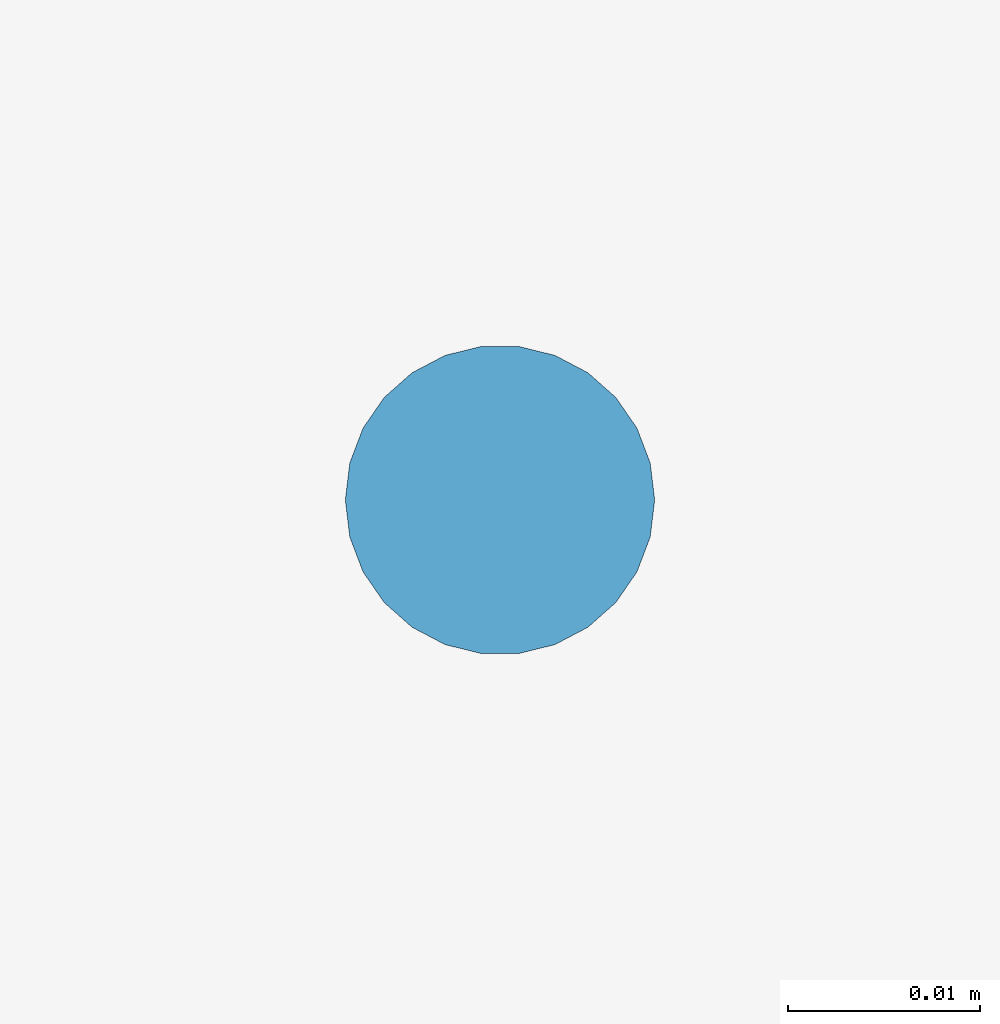
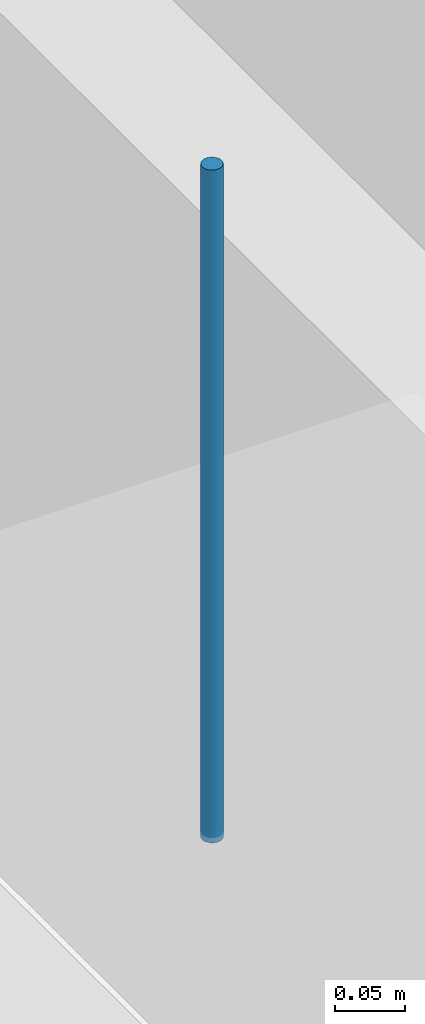
# One storey, part 71 of 75: 1 discrete accessory.
"""IFC4 building model written with IfcOpenShell, lengths in metres."""

import ifcopenshell
import ifcopenshell.guid

model = None  # the IFC model being written
_history = None  # IfcOwnerHistory: only IFC2X3 demands one
_inside = {}  # id of a spatial element -> (the spatial element, [elements in it])
_under = {}  # id of a project, library or spatial element -> (it, [spatial elements below it])
_declared = {}  # id of a project -> (the project, [libraries it declares])
_typed = {}  # id of a type object -> (the type object, [elements of that type])
_made_of = {}  # id of a material, layer set ... -> (it, [elements and type objects made of it])


def new_model(schema):
    """Start an empty IFC model of exactly this schema.

    Asked for "IFC4X3", IfcOpenShell would pick the latest addendum, in which some entities
    have other attributes; the version numbers below select the first issue.
    IFC2X3 requires an IfcOwnerHistory on every rooted entity: one is made here for all.
    """
    global model, _history
    if schema == "IFC4X3":
        model = ifcopenshell.file(schema_version=(4, 3, 0, 0))
    else:
        model = ifcopenshell.file(schema=schema)
    _inside.clear()
    _under.clear()
    _declared.clear()
    _typed.clear()
    _made_of.clear()
    _history = None
    if model.schema == "IFC2X3":
        org = make("IfcOrganization", Name="unknown")
        user = make(
            "IfcPersonAndOrganization",
            ThePerson=make("IfcPerson", FamilyName="unknown"),
            TheOrganization=org,
        )
        app = make(
            "IfcApplication",
            ApplicationDeveloper=org,
            Version="unknown",
            ApplicationFullName="unknown",
            ApplicationIdentifier="unknown",
        )
        _history = make(
            "IfcOwnerHistory",
            OwningUser=user,
            OwningApplication=app,
            ChangeAction="ADDED",
            CreationDate=0,
        )
    return model


def make(cls, **values):
    """One entity of the class cls with the attributes given. An attribute that is None is left unset."""
    return model.create_entity(
        cls, **{name: value for name, value in values.items() if value is not None}
    )


def rooted(cls, **values):
    """An entity with a GlobalId (a new one), such as an element, a storey or a relation."""
    return make(cls, GlobalId=ifcopenshell.guid.new(), OwnerHistory=_history, **values)


def si_unit(unit_type, name, prefix=None):
    """IfcSIUnit, for example si_unit("LENGTHUNIT", "METRE", prefix="MILLI")."""
    return make("IfcSIUnit", UnitType=unit_type, Prefix=prefix, Name=name)


def assignment(units):
    """IfcUnitAssignment: the units of a project."""
    return None if units is None else make("IfcUnitAssignment", Units=units)


def point(xyz):
    """IfcCartesianPoint."""
    return None if xyz is None else make("IfcCartesianPoint", Coordinates=xyz)


def direction(xyz):
    """IfcDirection."""
    return None if xyz is None else make("IfcDirection", DirectionRatios=xyz)


def frame(location, z_axis=None, x_axis=None):
    """IfcAxis2Placement3D, a coordinate frame: its origin and axes. An axis left out is left unset."""
    return make(
        "IfcAxis2Placement3D",
        Location=point(location),
        Axis=direction(z_axis),
        RefDirection=direction(x_axis),
    )


def frame_2d(location, x_axis=None):
    """IfcAxis2Placement2D, a coordinate frame in the plane: its origin and x axis."""
    return make(
        "IfcAxis2Placement2D", Location=point(location), RefDirection=direction(x_axis)
    )


def origin():
    """The frame at (0, 0, 0) with its axes left unset."""
    return frame((0.0, 0.0, 0.0))


def origin_2d():
    """The frame at (0, 0) in the plane with its x axis left unset."""
    return frame_2d((0.0, 0.0))


def place(relative_to, where):
    """IfcLocalPlacement: puts the frame where relative to a parent placement (None: the world)."""
    return make(
        "IfcLocalPlacement", PlacementRelTo=relative_to, RelativePlacement=where
    )


def context(
    kind, dimensions, precision=None, world=None, true_north=None, identifier=None
):
    """IfcGeometricRepresentationContext, for example the 3D "Model" context."""
    return make(
        "IfcGeometricRepresentationContext",
        ContextIdentifier=identifier,
        ContextType=kind,
        CoordinateSpaceDimension=dimensions,
        Precision=precision,
        WorldCoordinateSystem=world,
        TrueNorth=true_north,
    )


def subcontext(parent, identifier, kind, view, scale=None):
    """IfcGeometricRepresentationSubContext, for example "Body" below "Model"."""
    return make(
        "IfcGeometricRepresentationSubContext",
        ContextIdentifier=identifier,
        ContextType=kind,
        ParentContext=parent,
        TargetScale=scale,
        TargetView=view,
    )


def project(units=None, contexts=None):
    """IfcProject with its units and contexts."""
    return rooted(
        "IfcProject",
        Name="project",
        RepresentationContexts=contexts,
        UnitsInContext=assignment(units),
    )


def spatial(cls, under=None, at=None, **own):
    """A site, building, storey or space (cls), placed at a placement, below another one or the project."""
    s = rooted(cls, ObjectPlacement=at, **own)
    if under is not None:
        _under.setdefault(under.id(), (under, []))[1].append(s)
    return s


def profile(cls, at=None, kind="AREA", **sizes):
    """A parametric profile (cls). Its sizes go by their IFC names, for example OverallWidth=200.0."""
    return make(cls, ProfileType=kind, Position=at, **sizes)


def circle(**sizes):
    """IfcCircleProfileDef."""
    return profile("IfcCircleProfileDef", **sizes)


def extrude(swept, where, along, depth):
    """IfcExtrudedAreaSolid: the profile swept, set in the frame where, extruded along a direction by depth."""
    return make(
        "IfcExtrudedAreaSolid",
        SweptArea=swept,
        Position=where,
        ExtrudedDirection=direction(along),
        Depth=depth,
    )


def shape(context_of_items, identifier, shape_type, items):
    """IfcShapeRepresentation: the items that make up one representation, for example the "Body"."""
    return make(
        "IfcShapeRepresentation",
        ContextOfItems=context_of_items,
        RepresentationIdentifier=identifier,
        RepresentationType=shape_type,
        Items=items,
    )


def material(Name=None, Category=None):
    """IfcMaterial."""
    return make("IfcMaterial", Name=Name, Category=Category)


def made_of(thing, what):
    """Note that an element or type object is made of a material, layer set ...; save() writes the relation."""
    if what is not None:
        _made_of.setdefault(what.id(), (what, []))[1].append(thing)
    return thing


def type_object(cls, material=None, **own):
    """A type object (cls), such as IfcWallType, which elements share."""
    return made_of(rooted(cls, **own), material)


def element(
    cls,
    number,
    at=None,
    inside=None,
    cuts=None,
    type_object=None,
    material=None,
    context=None,
    identifier="Body",
    shape_type=None,
    held_by="IfcProductDefinitionShape",
    body=None,
    shapes=None,
    **own,
):
    """One element of the class cls, such as IfcWall. Its Tag is "e" and its number.

    at: its placement. inside: the storey or other place that contains it. cuts: it is an
    opening in that element (IfcRelVoidsElement). A single representation is given by context,
    identifier, shape_type and body (its items); several are given by shapes. held_by: the class
    of the entity that holds the representations. save() writes the other relations.
    """
    e = rooted(cls, Tag="e%d" % number, ObjectPlacement=at, **own)
    if body is not None:
        shapes = [shape(context, identifier, shape_type, body)]
    if shapes is not None:
        e.Representation = make(held_by, Representations=shapes)
    if inside is not None:
        _inside.setdefault(inside.id(), (inside, []))[1].append(e)
    if cuts is not None:
        rooted(
            "IfcRelVoidsElement", RelatingBuildingElement=cuts, RelatedOpeningElement=e
        )
    if type_object is not None:
        _typed.setdefault(type_object.id(), (type_object, []))[1].append(e)
    return made_of(e, material)


def aggregate(whole, parts):
    """IfcRelAggregates: a whole, such as a stair, and the parts it consists of."""
    return rooted("IfcRelAggregates", RelatingObject=whole, RelatedObjects=parts)


def save(model, path):
    """Write the relations noted so far, then the file.

    IfcRelAggregates (storeys below a building ...), IfcRelContainedInSpatialStructure (elements
    in a storey), IfcRelDefinesByType, IfcRelAssociatesMaterial and IfcRelDeclares: one each for
    every whole, place, type object, material and project.
    """
    for whole, parts in _under.values():
        aggregate(whole, parts)
    for where, things in _inside.values():
        rooted(
            "IfcRelContainedInSpatialStructure",
            RelatedElements=things,
            RelatingStructure=where,
        )
    for kind, things in _typed.values():
        rooted("IfcRelDefinesByType", RelatedObjects=things, RelatingType=kind)
    for what, things in _made_of.values():
        rooted("IfcRelAssociatesMaterial", RelatedObjects=things, RelatingMaterial=what)
    for by, libraries in _declared.values():
        rooted("IfcRelDeclares", RelatingContext=by, RelatedDefinitions=libraries)
    model.write(path)


model = new_model("IFC4")

# Units and contexts
model_context = context("Model", 3, precision=1e-05, world=origin(), true_north=direction((0.0, 1.0)))
body_context = subcontext(model_context, "Body", "Model", "MODEL_VIEW")
ifc_project = project(units=[si_unit("LENGTHUNIT", "METRE"), si_unit("AREAUNIT", "SQUARE_METRE"), si_unit("VOLUMEUNIT", "CUBIC_METRE"), si_unit("PLANEANGLEUNIT", "RADIAN"), si_unit("MASSUNIT", "GRAM", prefix="KILO")], contexts=[model_context])

# Site, building, storey
site_placement = place(None, origin())
site = spatial("IfcSite", under=ifc_project, at=site_placement, CompositionType="ELEMENT")
building_placement = place(site_placement, origin())
building = spatial("IfcBuilding", under=site, at=building_placement, Name="Yukiwa Park Conservatory and Herbarium", CompositionType="ELEMENT")
storey_placement = place(building_placement, frame((0.0, 0.0, 4.800048828125)))
storey = spatial("IfcBuildingStorey", under=building, at=storey_placement, Name="L01", CompositionType="ELEMENT", Elevation=4.800048828125)

# Discrete accessory
ifc_material = material(Name="Steel Q235B", Category="steel")
discrete_accessory_type = type_object("IfcDiscreteAccessoryType", Name="ACC-CEILING-HANGER", PredefinedType="BRACKET", material=ifc_material)
discrete_accessory_placement = place(storey_placement, frame((73.60009765625, 76.60009765625, 3.375), z_axis=(0.0, 0.0, 1.0), x_axis=(1.0, 0.0, 0.0)))
element("IfcDiscreteAccessory", 1, at=discrete_accessory_placement, inside=storey, type_object=discrete_accessory_type, Name="Ceiling suspension hanger rod 15", PredefinedType="BRACKET", context=body_context, shape_type="SweptSolid", body=[
    extrude(circle(Radius=0.008056640625, at=origin_2d()), origin(), (0.0, 0.0, 1.0), 0.5849609375),
])

save(model, "model.ifc")
